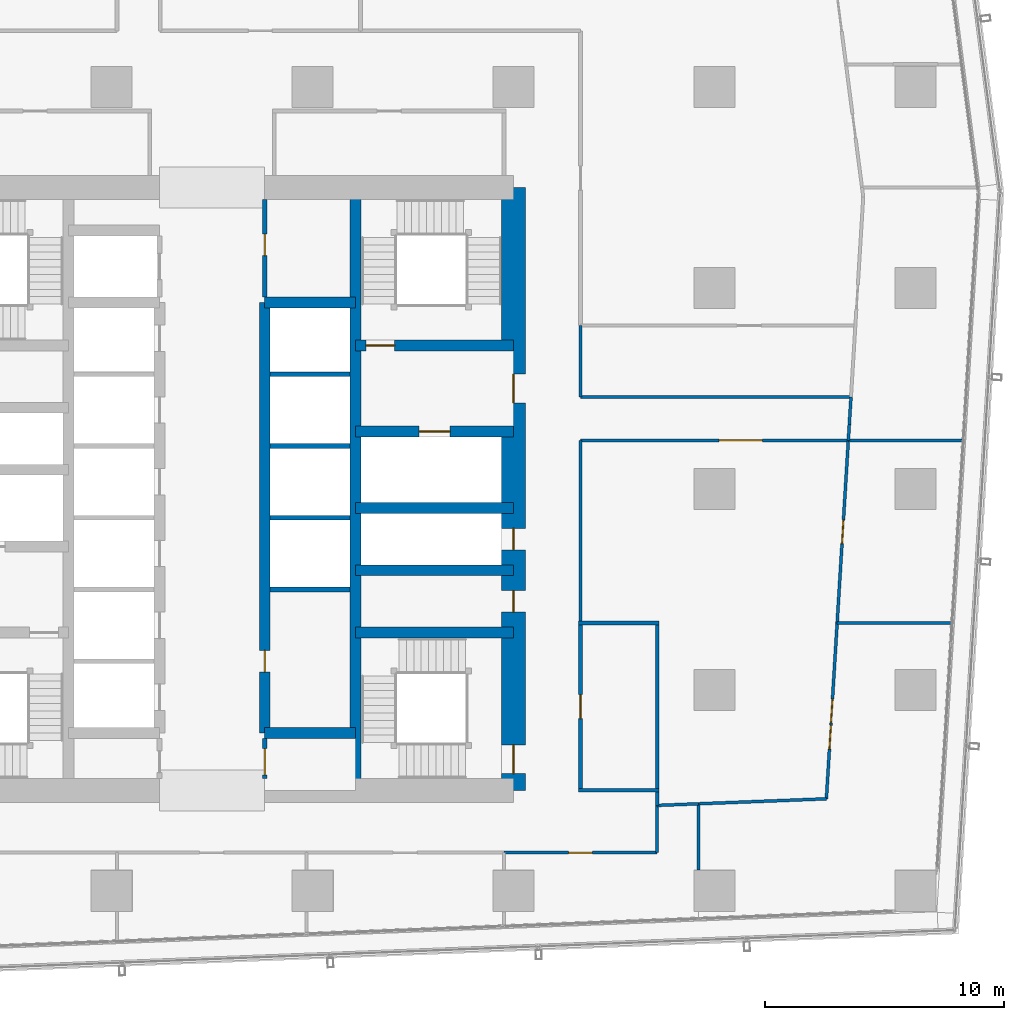
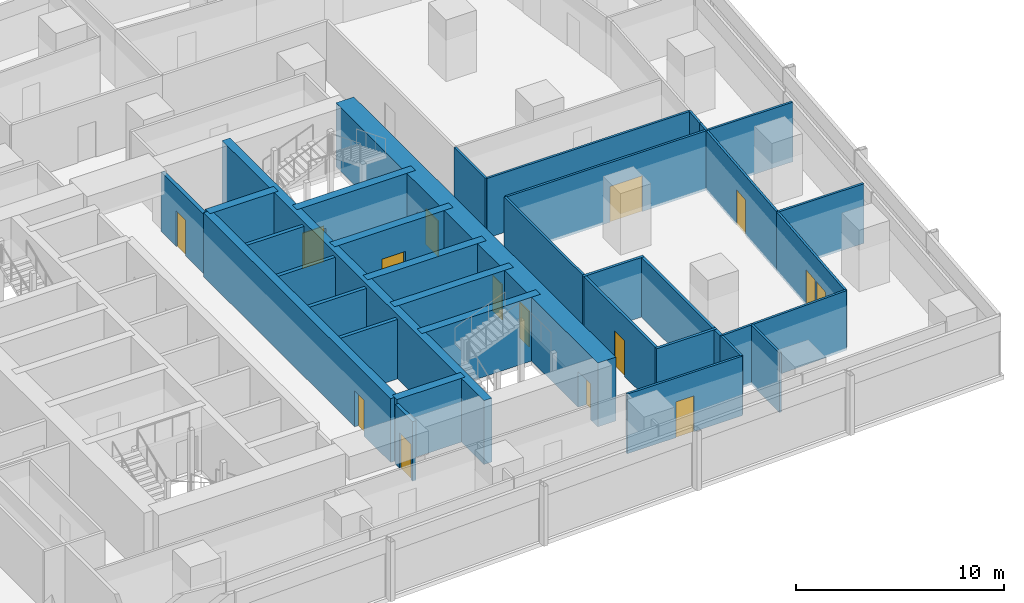
# One storey, part 28 of 38: 36 walls, 15 doors, 15 openings.
"""IFC4 building model written with IfcOpenShell, lengths in metres."""

from ifc_helpers import new_model, si_unit, direction, frame, frame_2d, origin, place, context, subcontext, project, spatial, rectangle, extrude, material, layer, layer_set, type_object, element, fill, save


model = new_model("IFC4")

# Units and contexts
model_context = context("Model", 3, precision=1e-05, world=origin(), true_north=direction((0.0, 1.0)))
body_context = subcontext(model_context, "Body", "Model", "MODEL_VIEW")
ifc_project = project(units=[si_unit("LENGTHUNIT", "METRE"), si_unit("AREAUNIT", "SQUARE_METRE"), si_unit("VOLUMEUNIT", "CUBIC_METRE"), si_unit("PLANEANGLEUNIT", "RADIAN"), si_unit("MASSUNIT", "GRAM", prefix="KILO")], contexts=[model_context])

# Site, building, storey
site_placement = place(None, origin())
site = spatial("IfcSite", under=ifc_project, at=site_placement, CompositionType="ELEMENT")
building_placement = place(site_placement, origin())
building = spatial("IfcBuilding", under=site, at=building_placement, Name="Rekha Terrace Tower", CompositionType="ELEMENT")
storey_placement = place(building_placement, frame((0.0, 0.0, 114.050048828125)))
storey = spatial("IfcBuildingStorey", under=building, at=storey_placement, Name="L28", CompositionType="ELEMENT", Elevation=114.050048828125)

# Wall
ifc_material_1 = material(Name="Concrete M70", Category="concrete")
ifc_layer_1 = layer(ifc_material_1, 0.449951171875)
ifc_layer_set_1 = layer_set([ifc_layer_1], Name="Concrete M70")
wall_type_1 = type_object("IfcWallType", Name="CI2 450 core internal shear wall", PredefinedType="SHEAR", material=ifc_layer_set_1)
wall_1_placement = place(storey_placement, frame((43.800048828125, 21.0, 0.0), z_axis=(0.0, 0.0, 1.0), x_axis=(0.0, 1.0, 0.0)))
element("IfcWall", 1, at=wall_1_placement, inside=storey, type_object=wall_type_1, Name="Core wall X438 L28", PredefinedType="SHEAR", context=body_context, shape_type="SweptSolid", body=[
    extrude(rectangle(XDim=25.199951171875, YDim=0.449951171875, at=frame_2d((12.60009765625, 0.0))), origin(), (0.0, 0.0, 1.0), 3.75),
])

# Wall, opening, door
wall_2_placement = place(storey_placement, frame((40.0, 23.39990234375, 0.0), z_axis=(0.0, 0.0, 1.0), x_axis=(0.0, 1.0, 0.0)))
wall_2 = element("IfcWall", 2, at=wall_2_placement, inside=storey, type_object=wall_type_1, Name="Core wall X400 L28", PredefinedType="SHEAR", context=body_context, shape_type="SweptSolid", body=[
    extrude(rectangle(XDim=18.0, YDim=0.449951171875, at=frame_2d((9.0, 0.0))), origin(), (0.0, 0.0, 1.0), 3.75),
])
opening_1_placement = place(wall_2_placement, frame((2.550048828125, 0.0, 0.0)))
opening_1 = element("IfcOpeningElement", 3, at=opening_1_placement, cuts=wall_2, Name="Opening D5", PredefinedType="OPENING", context=body_context, shape_type="SweptSolid", body=[
    extrude(rectangle(XDim=0.89990234375, YDim=2.10009765625, at=frame_2d((0.449951171875, 1.050048828125))), frame((0.0, 0.23486328125, 0.0), z_axis=(0.0, -1.0, 0.0), x_axis=(1.0, 0.0, 0.0)), (0.0, 0.0, 1.0), 0.469970703125),
])
ifc_material_2 = material(Name="Steel fire door", Category="steel")
door_type_1 = type_object("IfcDoorType", Name="D5 900x2100 riser access door", OperationType="SINGLE_SWING_LEFT", PredefinedType="DOOR", material=ifc_material_2)
door_1_placement = place(opening_1_placement, origin())
door_1 = element("IfcDoor", 4, at=door_1_placement, inside=storey, type_object=door_type_1, Name="Door back-of-house store L28", OperationType="SINGLE_SWING_LEFT", OverallHeight=2.10009765625, OverallWidth=0.89990234375, PredefinedType="DOOR", context=body_context, shape_type="SweptSolid", body=[
    extrude(rectangle(XDim=0.89990234375, YDim=2.10009765625, at=frame_2d((0.449951171875, 1.050048828125))), frame((0.0, 0.02490234375, 0.0), z_axis=(0.0, -1.0, 0.0), x_axis=(1.0, 0.0, 0.0)), (0.0, 0.0, 1.0), 0.050048828125),
])
fill(opening_1, door_1)

# Walls
for number, where, z_axis, x_axis, name in (
    (5, (40.0, 23.39990234375, 0.0), (0.0, 0.0, 1.0), (1.0, 0.0, 0.0), "Core wall Y234E L28"),
    (6, (40.0, 41.39990234375, 0.0), (0.0, 0.0, 1.0), (1.0, 0.0, 0.0), "Core wall Y414E L28"),
):
    element("IfcWall", number, at=place(storey_placement, frame(where, z_axis=z_axis, x_axis=x_axis)), inside=storey, type_object=wall_type_1, Name=name, PredefinedType="SHEAR", context=body_context, shape_type="SweptSolid", body=[
        extrude(rectangle(XDim=3.800048828125, YDim=0.449951171875, at=frame_2d((1.89990234375, 0.0))), origin(), (0.0, 0.0, 1.0), 3.75),
    ])
for number, where, z_axis, x_axis, name in (
    (7, (43.800048828125, 27.60009765625, 0.0), (0.0, 0.0, 1.0), (1.0, 0.0, 0.0), "Core wall Y276E L28"),
    (8, (43.800048828125, 30.199951171875, 0.0), (0.0, 0.0, 1.0), (1.0, 0.0, 0.0), "Core wall Y302E L28"),
    (9, (43.800048828125, 32.800048828125, 0.0), (0.0, 0.0, 1.0), (1.0, 0.0, 0.0), "Core wall Y328E L28"),
):
    element("IfcWall", number, at=place(storey_placement, frame(where, z_axis=z_axis, x_axis=x_axis)), inside=storey, type_object=wall_type_1, Name=name, PredefinedType="SHEAR", context=body_context, shape_type="SweptSolid", body=[
        extrude(rectangle(XDim=6.599853515625, YDim=0.449951171875, at=frame_2d((3.2998046875, 0.0))), origin(), (0.0, 0.0, 1.0), 3.75),
    ])

# Wall, opening, door
wall_3_placement = place(storey_placement, frame((43.800048828125, 36.0, 0.0), z_axis=(0.0, 0.0, 1.0), x_axis=(1.0, 0.0, 0.0)))
wall_3 = element("IfcWall", 10, at=wall_3_placement, inside=storey, type_object=wall_type_1, Name="Core wall Y360E L28", PredefinedType="SHEAR", context=body_context, shape_type="SweptSolid", body=[
    extrude(rectangle(XDim=6.599853515625, YDim=0.449951171875, at=frame_2d((3.2998046875, 0.0))), origin(), (0.0, 0.0, 1.0), 3.75),
])
opening_2_placement = place(wall_3_placement, frame((2.64990234375, 0.0, 0.0)))
opening_2 = element("IfcOpeningElement", 11, at=opening_2_placement, cuts=wall_3, Name="Opening LD2", PredefinedType="OPENING", context=body_context, shape_type="SweptSolid", body=[
    extrude(rectangle(XDim=1.300048828125, YDim=2.10009765625, at=frame_2d((0.64990234375, 1.050048828125))), frame((0.0, 0.23486328125, 0.0), z_axis=(0.0, -1.0, 0.0), x_axis=(1.0, 0.0, 0.0)), (0.0, 0.0, 1.0), 0.469970703125),
])
ifc_material_3 = material(Name="Stainless steel sliding landing door", Category="steel")
door_type_2 = type_object("IfcDoorType", Name="LD2 1300x2100 fire lift landing door", OperationType="SLIDING_TO_LEFT", PredefinedType="USERDEFINED", material=ifc_material_3)
door_2_placement = place(opening_2_placement, origin())
door_2 = element("IfcDoor", 12, at=door_2_placement, inside=storey, type_object=door_type_2, Name="Lift FL2 landing door L28", ObjectType="LIFT LANDING DOOR", OperationType="SLIDING_TO_LEFT", OverallHeight=2.10009765625, OverallWidth=1.300048828125, PredefinedType="USERDEFINED", context=body_context, shape_type="SweptSolid", body=[
    extrude(rectangle(XDim=1.300048828125, YDim=2.10009765625, at=frame_2d((0.64990234375, 1.050048828125))), frame((0.0, 0.02490234375, 0.0), z_axis=(0.0, -1.0, 0.0), x_axis=(1.0, 0.0, 0.0)), (0.0, 0.0, 1.0), 0.050048828125),
])
fill(opening_2, door_2)

wall_4_placement = place(storey_placement, frame((43.800048828125, 39.60009765625, 0.0), z_axis=(0.0, 0.0, 1.0), x_axis=(1.0, 0.0, 0.0)))
wall_4 = element("IfcWall", 13, at=wall_4_placement, inside=storey, type_object=wall_type_1, Name="Core wall Y396E L28", PredefinedType="SHEAR", context=body_context, shape_type="SweptSolid", body=[
    extrude(rectangle(XDim=6.599853515625, YDim=0.449951171875, at=frame_2d((3.2998046875, 0.0))), origin(), (0.0, 0.0, 1.0), 3.75),
])
opening_3_placement = place(wall_4_placement, frame((0.425048828125, 0.0, 0.0)))
opening_3 = element("IfcOpeningElement", 14, at=opening_3_placement, cuts=wall_4, Name="Opening D1", PredefinedType="OPENING", context=body_context, shape_type="SweptSolid", body=[
    extrude(rectangle(XDim=1.199951171875, YDim=2.10009765625, at=frame_2d((0.60009765625, 1.050048828125))), frame((0.0, 0.23486328125, 0.0), z_axis=(0.0, -1.0, 0.0), x_axis=(1.0, 0.0, 0.0)), (0.0, 0.0, 1.0), 0.469970703125),
])
door_type_3 = type_object("IfcDoorType", Name="D1 1200x2100 stair fire door", OperationType="SINGLE_SWING_RIGHT", PredefinedType="DOOR", material=ifc_material_2)
door_3_placement = place(opening_3_placement, origin())
door_3 = element("IfcDoor", 15, at=door_3_placement, inside=storey, type_object=door_type_3, Name="Stair ST2 door L28", OperationType="SINGLE_SWING_RIGHT", OverallHeight=2.10009765625, OverallWidth=1.199951171875, PredefinedType="DOOR", context=body_context, shape_type="SweptSolid", body=[
    extrude(rectangle(XDim=1.199951171875, YDim=2.10009765625, at=frame_2d((0.60009765625, 1.050048828125))), frame((0.0, 0.02490234375, 0.0), z_axis=(0.0, -1.0, 0.0), x_axis=(1.0, 0.0, 0.0)), (0.0, 0.0, 1.0), 0.050048828125),
])
fill(opening_3, door_3)

# Wall, openings, doors
ifc_layer_2 = layer(ifc_material_1, 1.0)
ifc_layer_set_2 = layer_set([ifc_layer_2], Name="Concrete M70")
wall_type_2 = type_object("IfcWallType", Name="SW2 1000 core outer shear wall", PredefinedType="SHEAR", material=ifc_layer_set_2)
wall_5_placement = place(storey_placement, frame((50.39990234375, 21.0, 0.0), z_axis=(0.0, 0.0, 1.0), x_axis=(0.0, 1.0, 0.0)))
wall_5 = element("IfcWall", 16, at=wall_5_placement, inside=storey, type_object=wall_type_2, Name="Core wall E L28", PredefinedType="SHEAR", context=body_context, shape_type="SweptSolid", body=[
    extrude(rectangle(XDim=25.199951171875, YDim=1.0, at=frame_2d((12.60009765625, 0.0))), origin(), (0.0, 0.0, 1.0), 3.75),
])
opening_4_placement = place(wall_5_placement, frame((16.199951171875, 0.0, 0.0)))
opening_4 = element("IfcOpeningElement", 17, at=opening_4_placement, cuts=wall_5, Name="Opening D2", PredefinedType="OPENING", context=body_context, shape_type="SweptSolid", body=[
    extrude(rectangle(XDim=1.199951171875, YDim=2.10009765625, at=frame_2d((0.60009765625, 1.050048828125))), frame((0.0, 0.510009765625, 0.0), z_axis=(0.0, -1.0, 0.0), x_axis=(1.0, 0.0, 0.0)), (0.0, 0.0, 1.0), 1.02001953125),
])
opening_5_placement = place(wall_5_placement, frame((10.050048828125, 0.0, 0.0)))
opening_5 = element("IfcOpeningElement", 18, at=opening_5_placement, cuts=wall_5, Name="Opening D5", PredefinedType="OPENING", context=body_context, shape_type="SweptSolid", body=[
    extrude(rectangle(XDim=0.89990234375, YDim=2.10009765625, at=frame_2d((0.449951171875, 1.050048828125))), frame((0.0, 0.510009765625, 0.0), z_axis=(0.0, -1.0, 0.0), x_axis=(1.0, 0.0, 0.0)), (0.0, 0.0, 1.0), 1.02001953125),
])
opening_6_placement = place(wall_5_placement, frame((7.449951171875, 0.0, 0.0)))
opening_6 = element("IfcOpeningElement", 19, at=opening_6_placement, cuts=wall_5, Name="Opening D5", PredefinedType="OPENING", context=body_context, shape_type="SweptSolid", body=[
    extrude(rectangle(XDim=0.89990234375, YDim=2.10009765625, at=frame_2d((0.449951171875, 1.050048828125))), frame((0.0, 0.510009765625, 0.0), z_axis=(0.0, -1.0, 0.0), x_axis=(1.0, 0.0, 0.0)), (0.0, 0.0, 1.0), 1.02001953125),
])
opening_7_placement = place(wall_5_placement, frame((0.699951171875, 0.0, 0.0)))
opening_7 = element("IfcOpeningElement", 20, at=opening_7_placement, cuts=wall_5, Name="Opening D1", PredefinedType="OPENING", context=body_context, shape_type="SweptSolid", body=[
    extrude(rectangle(XDim=1.199951171875, YDim=2.10009765625, at=frame_2d((0.60009765625, 1.050048828125))), frame((0.0, 0.510009765625, 0.0), z_axis=(0.0, -1.0, 0.0), x_axis=(1.0, 0.0, 0.0)), (0.0, 0.0, 1.0), 1.02001953125),
])
door_4_placement = place(opening_7_placement, origin())
door_4 = element("IfcDoor", 21, at=door_4_placement, inside=storey, type_object=door_type_3, Name="Stair ST3 door L28", OperationType="SINGLE_SWING_RIGHT", OverallHeight=2.10009765625, OverallWidth=1.199951171875, PredefinedType="DOOR", context=body_context, shape_type="SweptSolid", body=[
    extrude(rectangle(XDim=1.199951171875, YDim=2.10009765625, at=frame_2d((0.60009765625, 1.050048828125))), frame((0.0, 0.02490234375, 0.0), z_axis=(0.0, -1.0, 0.0), x_axis=(1.0, 0.0, 0.0)), (0.0, 0.0, 1.0), 0.050048828125),
])
fill(opening_7, door_4)
door_type_4 = type_object("IfcDoorType", Name="D2 1200x2100 firefighting lobby door", OperationType="SINGLE_SWING_LEFT", PredefinedType="DOOR", material=ifc_material_2)
door_5_placement = place(opening_4_placement, origin())
door_5 = element("IfcDoor", 22, at=door_5_placement, inside=storey, type_object=door_type_4, Name="Door flb2 L28", OperationType="SINGLE_SWING_LEFT", OverallHeight=2.10009765625, OverallWidth=1.199951171875, PredefinedType="DOOR", context=body_context, shape_type="SweptSolid", body=[
    extrude(rectangle(XDim=1.199951171875, YDim=2.10009765625, at=frame_2d((0.60009765625, 1.050048828125))), frame((0.0, 0.02490234375, 0.0), z_axis=(0.0, -1.0, 0.0), x_axis=(1.0, 0.0, 0.0)), (0.0, 0.0, 1.0), 0.050048828125),
])
fill(opening_4, door_5)
door_6_placement = place(opening_5_placement, origin())
door_6 = element("IfcDoor", 23, at=door_6_placement, inside=storey, type_object=door_type_1, Name="Door rs2 L28", OperationType="SINGLE_SWING_LEFT", OverallHeight=2.10009765625, OverallWidth=0.89990234375, PredefinedType="DOOR", context=body_context, shape_type="SweptSolid", body=[
    extrude(rectangle(XDim=0.89990234375, YDim=2.10009765625, at=frame_2d((0.449951171875, 1.050048828125))), frame((0.0, 0.02490234375, 0.0), z_axis=(0.0, -1.0, 0.0), x_axis=(1.0, 0.0, 0.0)), (0.0, 0.0, 1.0), 0.050048828125),
])
fill(opening_5, door_6)
door_7_placement = place(opening_6_placement, origin())
door_7 = element("IfcDoor", 24, at=door_7_placement, inside=storey, type_object=door_type_1, Name="Door ele L28", OperationType="SINGLE_SWING_LEFT", OverallHeight=2.10009765625, OverallWidth=0.89990234375, PredefinedType="DOOR", context=body_context, shape_type="SweptSolid", body=[
    extrude(rectangle(XDim=0.89990234375, YDim=2.10009765625, at=frame_2d((0.449951171875, 1.050048828125))), frame((0.0, 0.02490234375, 0.0), z_axis=(0.0, -1.0, 0.0), x_axis=(1.0, 0.0, 0.0)), (0.0, 0.0, 1.0), 0.050048828125),
])
fill(opening_6, door_7)

# Walls
ifc_material_4 = material(Name="Concrete block masonry, 1 hour", Category="masonry")
ifc_layer_3 = layer(ifc_material_4, 0.14990234375)
ifc_layer_set_3 = layer_set([ifc_layer_3], Name="Concrete block masonry, 1 hour")
wall_type_3 = type_object("IfcWallType", Name="WP2 150 tenancy partition", PredefinedType="PARTITIONING", material=ifc_layer_set_3)
for number, where, z_axis, x_axis, name in (
    (25, (53.125, 21.0, 0.0), (0.0, 0.0, 1.0), (1.0, 0.0, 0.0), "Men's WC wall L28"),
    (26, (53.125, 28.0, 0.0), (0.0, 0.0, 1.0), (1.0, 0.0, 0.0), "Men's WC wall L28"),
):
    element("IfcWall", number, at=place(storey_placement, frame(where, z_axis=z_axis, x_axis=x_axis)), inside=storey, type_object=wall_type_3, Name=name, PredefinedType="PARTITIONING", context=body_context, shape_type="SweptSolid", body=[
        extrude(rectangle(XDim=3.35009765625, YDim=0.14990234375, at=frame_2d((1.675048828125, 0.0))), origin(), (0.0, 0.0, 1.0), 3.5),
    ])

# Wall, opening, door
wall_6_placement = place(storey_placement, frame((53.199951171875, 21.074951171875, 0.0), z_axis=(0.0, 0.0, 1.0), x_axis=(0.0, 1.0, 0.0)))
wall_6 = element("IfcWall", 27, at=wall_6_placement, inside=storey, type_object=wall_type_3, Name="Men's WC wall L28", PredefinedType="PARTITIONING", context=body_context, shape_type="SweptSolid", body=[
    extrude(rectangle(XDim=6.85009765625, YDim=0.14990234375, at=frame_2d((3.425048828125, 0.0))), origin(), (0.0, 0.0, 1.0), 3.5),
])
opening_8_placement = place(wall_6_placement, frame((2.925048828125, 0.0, 0.0)))
opening_8 = element("IfcOpeningElement", 28, at=opening_8_placement, cuts=wall_6, Name="Opening D3", PredefinedType="OPENING", context=body_context, shape_type="SweptSolid", body=[
    extrude(rectangle(XDim=1.0, YDim=2.10009765625, at=frame_2d((0.5, 1.050048828125))), frame((0.0, 0.0849609375, 0.0), z_axis=(0.0, -1.0, 0.0), x_axis=(1.0, 0.0, 0.0)), (0.0, 0.0, 1.0), 0.169921875),
])
ifc_material_5 = material(Name="Laminated timber fire door", Category="wood")
door_type_5 = type_object("IfcDoorType", Name="D3 1000x2100 WC door", OperationType="SINGLE_SWING_LEFT", PredefinedType="DOOR", material=ifc_material_5)
door_8_placement = place(opening_8_placement, origin())
door_8 = element("IfcDoor", 29, at=door_8_placement, inside=storey, type_object=door_type_5, Name="Door men's wc L28", OperationType="SINGLE_SWING_LEFT", OverallHeight=2.10009765625, OverallWidth=1.0, PredefinedType="DOOR", context=body_context, shape_type="SweptSolid", body=[
    extrude(rectangle(XDim=1.0, YDim=2.10009765625, at=frame_2d((0.5, 1.050048828125))), frame((0.0, 0.02490234375, 0.0), z_axis=(0.0, -1.0, 0.0), x_axis=(1.0, 0.0, 0.0)), (0.0, 0.0, 1.0), 0.050048828125),
])
fill(opening_8, door_8)

# Walls
wall_7_placement = place(storey_placement, frame((56.39990234375, 21.074951171875, 0.0), z_axis=(0.0, 0.0, 1.0), x_axis=(0.0, 1.0, 0.0)))
element("IfcWall", 30, at=wall_7_placement, inside=storey, type_object=wall_type_3, Name="Men's WC wall L28", PredefinedType="PARTITIONING", context=body_context, shape_type="SweptSolid", body=[
    extrude(rectangle(XDim=6.85009765625, YDim=0.14990234375, at=frame_2d((3.425048828125, 0.0))), origin(), (0.0, 0.0, 1.0), 3.5),
])
wall_8_placement = place(storey_placement, frame((56.39990234375, 20.3740234375, 0.0), z_axis=(0.0, 0.0, 1.0), x_axis=(0.0, 1.0, 0.0)))
element("IfcWall", 31, at=wall_8_placement, inside=storey, type_object=wall_type_3, Name="Partition L28-O1b", PredefinedType="PARTITIONING", context=body_context, shape_type="SweptSolid", body=[
    extrude(rectangle(XDim=0.551025390625, YDim=0.14990234375, at=frame_2d((0.275390625, 0.0))), origin(), (0.0, 0.0, 1.0), 3.5),
])
ifc_material_6 = material(Name="Two layers of fire-rated gypsum board each side on steel studs, acoustic quilt, 1 hour", Category="steel")
ifc_layer_4 = layer(ifc_material_6, 0.125)
ifc_layer_set_4 = layer_set([ifc_layer_4], Name="Two layers of fire-rated gypsum board each side on steel studs, acoustic quilt, 1 hour")
wall_type_4 = type_object("IfcWallType", Name="WP3 125 office partition", PredefinedType="PARTITIONING", material=ifc_layer_set_4)
wall_9_placement = place(storey_placement, frame((56.39990234375, 20.3740234375, 0.0), z_axis=(0.0, 0.0, 1.0), x_axis=(0.999234110548, 0.039130452561, 0.0)))
element("IfcWall", 32, at=wall_9_placement, inside=storey, type_object=wall_type_4, Name="Partition L28-03", PredefinedType="PARTITIONING", context=body_context, shape_type="SweptSolid", body=[
    extrude(rectangle(XDim=1.734375, YDim=0.125, at=frame_2d((0.8671875, 0.0))), origin(), (0.0, 0.0, 1.0), 3.5),
])
wall_10_placement = place(storey_placement, frame((58.133056640625, 20.44189453125, 0.0), z_axis=(0.0, 0.0, 1.0), x_axis=(0.0, -1.0, 0.0)))
element("IfcWall", 33, at=wall_10_placement, inside=storey, type_object=wall_type_4, Name="Partition L28-03", PredefinedType="PARTITIONING", context=body_context, shape_type="SweptSolid", body=[
    extrude(rectangle(XDim=2.77197265625, YDim=0.125, at=frame_2d((1.385986328125, 0.0))), origin(), (0.0, 0.0, 1.0), 3.5),
])

# Wall, opening, door
wall_11_placement = place(storey_placement, frame((50.0, 18.39990234375, 0.0), z_axis=(0.0, 0.0, 1.0), x_axis=(1.0, 0.0, 0.0)))
wall_11 = element("IfcWall", 34, at=wall_11_placement, inside=storey, type_object=wall_type_4, Name="Partition L28-03", PredefinedType="PARTITIONING", context=body_context, shape_type="SweptSolid", body=[
    extrude(rectangle(XDim=6.39990234375, YDim=0.125, at=frame_2d((3.199951171875, 0.0))), origin(), (0.0, 0.0, 1.0), 3.5),
])
opening_9_placement = place(wall_11_placement, frame((2.699951171875, 0.0, 0.0)))
opening_9 = element("IfcOpeningElement", 35, at=opening_9_placement, cuts=wall_11, Name="Opening D9", PredefinedType="OPENING", context=body_context, shape_type="SweptSolid", body=[
    extrude(rectangle(XDim=1.0, YDim=2.10009765625, at=frame_2d((0.5, 1.050048828125))), frame((0.0, 0.072509765625, 0.0), z_axis=(0.0, -1.0, 0.0), x_axis=(1.0, 0.0, 0.0)), (0.0, 0.0, 1.0), 0.14501953125),
])
ifc_material_7 = material(Name="Timber fire door", Category="wood")
door_type_6 = type_object("IfcDoorType", Name="D9 1000x2100 office door", OperationType="SINGLE_SWING_LEFT", PredefinedType="DOOR", material=ifc_material_7)
door_9_placement = place(opening_9_placement, origin())
door_9 = element("IfcDoor", 36, at=door_9_placement, inside=storey, type_object=door_type_6, Name="Door meeting room L28", OperationType="SINGLE_SWING_LEFT", OverallHeight=2.10009765625, OverallWidth=1.0, PredefinedType="DOOR", context=body_context, shape_type="SweptSolid", body=[
    extrude(rectangle(XDim=1.0, YDim=2.10009765625, at=frame_2d((0.5, 1.050048828125))), frame((0.0, 0.02490234375, 0.0), z_axis=(0.0, -1.0, 0.0), x_axis=(1.0, 0.0, 0.0)), (0.0, 0.0, 1.0), 0.050048828125),
])
fill(opening_9, door_9)

# Walls
wall_12_placement = place(storey_placement, frame((56.39990234375, 18.39990234375, 0.0), z_axis=(0.0, 0.0, 1.0), x_axis=(0.0, 1.0, 0.0)))
element("IfcWall", 37, at=wall_12_placement, inside=storey, type_object=wall_type_4, Name="Partition L28-03", PredefinedType="PARTITIONING", context=body_context, shape_type="SweptSolid", body=[
    extrude(rectangle(XDim=1.97412109375, YDim=0.125, at=frame_2d((0.987060546875, 0.0))), origin(), (0.0, 0.0, 1.0), 3.5),
])
wall_13_placement = place(storey_placement, frame((63.926025390625, 27.99609375, 0.0), z_axis=(0.0, 0.0, 1.0), x_axis=(1.0, 0.0, 0.0)))
element("IfcWall", 38, at=wall_13_placement, inside=storey, type_object=wall_type_4, Name="Partition L28-04", PredefinedType="PARTITIONING", context=body_context, shape_type="SweptSolid", body=[
    extrude(rectangle(XDim=4.758056640625, YDim=0.125, at=frame_2d((2.37890625, 0.0))), origin(), (0.0, 0.0, 1.0), 3.5),
])
wall_14_placement = place(storey_placement, frame((58.134033203125, 20.44189453125, 0.0), z_axis=(0.0, 0.0, 1.0), x_axis=(0.999242781249, 0.03890840682, 0.0)))
element("IfcWall", 39, at=wall_14_placement, inside=storey, type_object=wall_type_4, Name="Partition L28-04", PredefinedType="PARTITIONING", context=body_context, shape_type="SweptSolid", body=[
    extrude(rectangle(XDim=5.34619140625, YDim=0.125, at=frame_2d((2.673095703125, 0.0))), origin(), (0.0, 0.0, 1.0), 3.5),
])

# Wall, openings, doors
wall_15_placement = place(storey_placement, frame((63.47607421875, 20.64990234375, 0.0), z_axis=(0.0, 0.0, 1.0), x_axis=(0.061135017565, 0.998129505439, 0.0)))
wall_15 = element("IfcWall", 40, at=wall_15_placement, inside=storey, type_object=wall_type_4, Name="Partition L28-04", PredefinedType="PARTITIONING", context=body_context, shape_type="SweptSolid", body=[
    extrude(rectangle(XDim=7.35986328125, YDim=0.125, at=frame_2d((3.679931640625, 0.0))), origin(), (0.0, 0.0, 1.0), 3.5),
])
opening_10_placement = place(wall_15_placement, frame((3.179931640625, 0.0, 0.0)))
opening_10 = element("IfcOpeningElement", 41, at=opening_10_placement, cuts=wall_15, Name="Opening D9", PredefinedType="OPENING", context=body_context, shape_type="SweptSolid", body=[
    extrude(rectangle(XDim=1.0, YDim=2.10009765625, at=frame_2d((0.5, 1.050048828125))), frame((0.0, 0.072509765625, 0.0), z_axis=(0.0, -1.0, 0.0), x_axis=(1.0, 0.0, 0.0)), (0.0, 0.0, 1.0), 0.14501953125),
])
opening_11_placement = place(wall_15_placement, frame((2.080078125, 0.0, 0.0)))
opening_11 = element("IfcOpeningElement", 42, at=opening_11_placement, cuts=wall_15, Name="Opening D9", PredefinedType="OPENING", context=body_context, shape_type="SweptSolid", body=[
    extrude(rectangle(XDim=1.0, YDim=2.10009765625, at=frame_2d((0.5, 1.050048828125))), frame((0.0, 0.072509765625, 0.0), z_axis=(0.0, -1.0, 0.0), x_axis=(1.0, 0.0, 0.0)), (0.0, 0.0, 1.0), 0.14501953125),
])
door_10_placement = place(opening_10_placement, origin())
door_10 = element("IfcDoor", 43, at=door_10_placement, inside=storey, type_object=door_type_6, Name="Door director's office L28", OperationType="SINGLE_SWING_LEFT", OverallHeight=2.10009765625, OverallWidth=1.0, PredefinedType="DOOR", context=body_context, shape_type="SweptSolid", body=[
    extrude(rectangle(XDim=1.0, YDim=2.10009765625, at=frame_2d((0.5, 1.050048828125))), frame((0.0, 0.02490234375, 0.0), z_axis=(0.0, -1.0, 0.0), x_axis=(1.0, 0.0, 0.0)), (0.0, 0.0, 1.0), 0.050048828125),
])
fill(opening_10, door_10)
door_11_placement = place(opening_11_placement, origin())
door_11 = element("IfcDoor", 44, at=door_11_placement, inside=storey, type_object=door_type_6, Name="Door open-plan office L28", OperationType="SINGLE_SWING_LEFT", OverallHeight=2.10009765625, OverallWidth=1.0, PredefinedType="DOOR", context=body_context, shape_type="SweptSolid", body=[
    extrude(rectangle(XDim=1.0, YDim=2.10009765625, at=frame_2d((0.5, 1.050048828125))), frame((0.0, 0.02490234375, 0.0), z_axis=(0.0, -1.0, 0.0), x_axis=(1.0, 0.0, 0.0)), (0.0, 0.0, 1.0), 0.050048828125),
])
fill(opening_11, door_11)

# Wall, opening, door
wall_16_placement = place(storey_placement, frame((63.926025390625, 27.9970703125, 0.0), z_axis=(0.0, 0.0, 1.0), x_axis=(0.061176245149, 0.998126979412, 0.0)))
wall_16 = element("IfcWall", 45, at=wall_16_placement, inside=storey, type_object=wall_type_4, Name="Partition L28-05", PredefinedType="PARTITIONING", context=body_context, shape_type="SweptSolid", body=[
    extrude(rectangle(XDim=7.650390625, YDim=0.125, at=frame_2d((3.8251953125, 0.0))), origin(), (0.0, 0.0, 1.0), 3.5),
])
opening_12_placement = place(wall_16_placement, frame((3.324951171875, 0.0, 0.0)))
opening_12 = element("IfcOpeningElement", 46, at=opening_12_placement, cuts=wall_16, Name="Opening D9", PredefinedType="OPENING", context=body_context, shape_type="SweptSolid", body=[
    extrude(rectangle(XDim=1.0, YDim=2.10009765625, at=frame_2d((0.5, 1.050048828125))), frame((0.0, 0.072509765625, 0.0), z_axis=(0.0, -1.0, 0.0), x_axis=(1.0, 0.0, 0.0)), (0.0, 0.0, 1.0), 0.14501953125),
])
door_12_placement = place(opening_12_placement, origin())
door_12 = element("IfcDoor", 47, at=door_12_placement, inside=storey, type_object=door_type_6, Name="Door office L28", OperationType="SINGLE_SWING_LEFT", OverallHeight=2.10009765625, OverallWidth=1.0, PredefinedType="DOOR", context=body_context, shape_type="SweptSolid", body=[
    extrude(rectangle(XDim=1.0, YDim=2.10009765625, at=frame_2d((0.5, 1.050048828125))), frame((0.0, 0.02490234375, 0.0), z_axis=(0.0, -1.0, 0.0), x_axis=(1.0, 0.0, 0.0)), (0.0, 0.0, 1.0), 0.050048828125),
])
fill(opening_12, door_12)

# Walls
wall_17_placement = place(storey_placement, frame((64.39404296875, 35.633056640625, 0.0), z_axis=(0.0, 0.0, 1.0), x_axis=(1.0, 0.0, 0.0)))
element("IfcWall", 48, at=wall_17_placement, inside=storey, type_object=wall_type_4, Name="Partition L28-05", PredefinedType="PARTITIONING", context=body_context, shape_type="SweptSolid", body=[
    extrude(rectangle(XDim=4.758056640625, YDim=0.125, at=frame_2d((2.37890625, 0.0))), origin(), (0.0, 0.0, 1.0), 3.5),
])
wall_18_placement = place(storey_placement, frame((64.43408203125, 36.29296875, 0.0), z_axis=(0.0, 0.0, 1.0), x_axis=(0.060919506416, 0.998142682054, 0.0)))
element("IfcWall", 49, at=wall_18_placement, inside=storey, type_object=wall_type_4, Name="Partition L28-06", PredefinedType="PARTITIONING", context=body_context, shape_type="SweptSolid", body=[
    extrude(rectangle(XDim=1.146240234375, YDim=0.125, at=frame_2d((0.5732421875, 0.0))), origin(), (0.0, 0.0, 1.0), 3.5),
])
wall_19_placement = place(storey_placement, frame((64.39404296875, 35.634033203125, 0.0), z_axis=(0.0, 0.0, 1.0), x_axis=(0.060651381141, 0.998159010361, 0.0)))
element("IfcWall", 50, at=wall_19_placement, inside=storey, type_object=wall_type_4, Name="Partition L28-06", PredefinedType="PARTITIONING", context=body_context, shape_type="SweptSolid", body=[
    extrude(rectangle(XDim=0.66015625, YDim=0.125, at=frame_2d((0.330078125, 0.0))), origin(), (0.0, 0.0, 1.0), 3.5),
])

# Wall, opening, door
wall_20_placement = place(storey_placement, frame((53.199951171875, 35.633056640625, 0.0), z_axis=(0.0, 0.0, 1.0), x_axis=(1.0, 0.0, 0.0)))
wall_20 = element("IfcWall", 51, at=wall_20_placement, inside=storey, type_object=wall_type_4, Name="Partition L28-11", PredefinedType="PARTITIONING", context=body_context, shape_type="SweptSolid", body=[
    extrude(rectangle(XDim=11.194091796875, YDim=0.125, at=frame_2d((5.59716796875, 0.0))), origin(), (0.0, 0.0, 1.0), 3.5),
])
opening_13_placement = place(wall_20_placement, frame((5.797119140625, 0.0, 0.0)))
opening_13 = element("IfcOpeningElement", 52, at=opening_13_placement, cuts=wall_20, Name="Opening D8", PredefinedType="OPENING", context=body_context, shape_type="SweptSolid", body=[
    extrude(rectangle(XDim=1.800048828125, YDim=2.10009765625, at=frame_2d((0.89990234375, 1.050048828125))), frame((0.0, 0.072509765625, 0.0), z_axis=(0.0, -1.0, 0.0), x_axis=(1.0, 0.0, 0.0)), (0.0, 0.0, 1.0), 0.14501953125),
])
door_type_7 = type_object("IfcDoorType", Name="D8 1800x2100 double leaf door", OperationType="DOUBLE_DOOR_SINGLE_SWING", PredefinedType="DOOR", material=ifc_material_7)
door_13_placement = place(opening_13_placement, origin())
door_13 = element("IfcDoor", 53, at=door_13_placement, inside=storey, type_object=door_type_7, Name="Door reception L28", OperationType="DOUBLE_DOOR_SINGLE_SWING", OverallHeight=2.10009765625, OverallWidth=1.800048828125, PredefinedType="DOOR", context=body_context, shape_type="SweptSolid", body=[
    extrude(rectangle(XDim=1.800048828125, YDim=2.10009765625, at=frame_2d((0.89990234375, 1.050048828125))), frame((0.0, 0.02490234375, 0.0), z_axis=(0.0, -1.0, 0.0), x_axis=(1.0, 0.0, 0.0)), (0.0, 0.0, 1.0), 0.050048828125),
])
fill(opening_13, door_13)

# Walls
wall_21_placement = place(storey_placement, frame((53.199951171875, 28.074951171875, 0.0), z_axis=(0.0, 0.0, 1.0), x_axis=(0.0, 1.0, 0.0)))
element("IfcWall", 54, at=wall_21_placement, inside=storey, type_object=wall_type_4, Name="Partition L28-11", PredefinedType="PARTITIONING", context=body_context, shape_type="SweptSolid", body=[
    extrude(rectangle(XDim=7.55810546875, YDim=0.125, at=frame_2d((3.779052734375, 0.0))), origin(), (0.0, 0.0, 1.0), 3.5),
])
wall_22_placement = place(storey_placement, frame((53.199951171875, 37.43701171875, 0.0), z_axis=(0.0, 0.0, 1.0), x_axis=(0.0, 1.0, 0.0)))
element("IfcWall", 55, at=wall_22_placement, inside=storey, type_object=wall_type_4, Name="Partition L28-12", PredefinedType="PARTITIONING", context=body_context, shape_type="SweptSolid", body=[
    extrude(rectangle(XDim=2.99609375, YDim=0.125, at=frame_2d((1.498046875, 0.0))), origin(), (0.0, 0.0, 1.0), 3.5),
])
wall_23_placement = place(storey_placement, frame((64.50390625, 37.43701171875, 0.0), z_axis=(0.0, 0.0, 1.0), x_axis=(-1.0, 0.0, 0.0)))
element("IfcWall", 56, at=wall_23_placement, inside=storey, type_object=wall_type_4, Name="Partition L28-12", PredefinedType="PARTITIONING", context=body_context, shape_type="SweptSolid", body=[
    extrude(rectangle(XDim=11.303955078125, YDim=0.125, at=frame_2d((5.65185546875, 0.0))), origin(), (0.0, 0.0, 1.0), 3.5),
])
ifc_material_8 = material(Name="Solid concrete block masonry, 2 hour", Category="masonry")
ifc_layer_5 = layer(ifc_material_8, 0.199951171875)
ifc_layer_set_5 = layer_set([ifc_layer_5], Name="Solid concrete block masonry, 2 hour")
wall_type_5 = type_object("IfcWallType", Name="WS1 200 stair and shaft enclosure", PredefinedType="PARTITIONING", material=ifc_layer_set_5)
for number, where, z_axis, x_axis, name in (
    (57, (40.22509765625, 29.39990234375, 0.0), (0.0, 0.0, 1.0), (1.0, 0.0, 0.0), "Lift shaft divider L28"),
    (58, (40.22509765625, 32.39990234375, 0.0), (0.0, 0.0, 1.0), (1.0, 0.0, 0.0), "Lift shaft divider L28"),
    (59, (40.22509765625, 35.39990234375, 0.0), (0.0, 0.0, 1.0), (1.0, 0.0, 0.0), "Lift shaft divider L28"),
    (60, (40.22509765625, 38.39990234375, 0.0), (0.0, 0.0, 1.0), (1.0, 0.0, 0.0), "Lift shaft divider L28"),
):
    element("IfcWall", number, at=place(storey_placement, frame(where, z_axis=z_axis, x_axis=x_axis)), inside=storey, type_object=wall_type_5, Name=name, PredefinedType="PARTITIONING", context=body_context, shape_type="SweptSolid", body=[
        extrude(rectangle(XDim=3.349853515625, YDim=0.199951171875, at=frame_2d((1.6748046875, 0.0))), origin(), (0.0, 0.0, 1.0), 3.5),
    ])

# Wall, opening, door
wall_24_placement = place(storey_placement, frame((40.0, 21.5, 0.0), z_axis=(0.0, 0.0, 1.0), x_axis=(0.0, 1.0, 0.0)))
wall_24 = element("IfcWall", 61, at=wall_24_placement, inside=storey, type_object=wall_type_5, Name="Core partition wca L28", PredefinedType="PARTITIONING", context=body_context, shape_type="SweptSolid", body=[
    extrude(rectangle(XDim=1.675048828125, YDim=0.199951171875, at=frame_2d((0.83740234375, 0.0))), origin(), (0.0, 0.0, 1.0), 3.5),
])
opening_14_placement = place(wall_24_placement, frame((0.14990234375, 0.0, 0.0)))
opening_14 = element("IfcOpeningElement", 62, at=opening_14_placement, cuts=wall_24, Name="Opening D4", PredefinedType="OPENING", context=body_context, shape_type="SweptSolid", body=[
    extrude(rectangle(XDim=1.10009765625, YDim=2.10009765625, at=frame_2d((0.550048828125, 1.050048828125))), frame((0.0, 0.10986328125, 0.0), z_axis=(0.0, -1.0, 0.0), x_axis=(1.0, 0.0, 0.0)), (0.0, 0.0, 1.0), 0.219970703125),
])
door_type_8 = type_object("IfcDoorType", Name="D4 1100x2100 accessible WC door", OperationType="SLIDING_TO_LEFT", PredefinedType="DOOR", material=ifc_material_5)
door_14_placement = place(opening_14_placement, origin())
door_14 = element("IfcDoor", 63, at=door_14_placement, inside=storey, type_object=door_type_8, Name="Door wca L28", OperationType="SLIDING_TO_LEFT", OverallHeight=2.10009765625, OverallWidth=1.10009765625, PredefinedType="DOOR", context=body_context, shape_type="SweptSolid", body=[
    extrude(rectangle(XDim=1.10009765625, YDim=2.10009765625, at=frame_2d((0.550048828125, 1.050048828125))), frame((0.0, 0.02490234375, 0.0), z_axis=(0.0, -1.0, 0.0), x_axis=(1.0, 0.0, 0.0)), (0.0, 0.0, 1.0), 0.050048828125),
])
fill(opening_14, door_14)

wall_25_placement = place(storey_placement, frame((40.0, 41.625, 0.0), z_axis=(0.0, 0.0, 1.0), x_axis=(0.0, 1.0, 0.0)))
wall_25 = element("IfcWall", 64, at=wall_25_placement, inside=storey, type_object=wall_type_5, Name="Core partition elec L28", PredefinedType="PARTITIONING", context=body_context, shape_type="SweptSolid", body=[
    extrude(rectangle(XDim=4.074951171875, YDim=0.199951171875, at=frame_2d((2.03759765625, 0.0))), origin(), (0.0, 0.0, 1.0), 3.5),
])
opening_15_placement = place(wall_25_placement, frame((1.72509765625, 0.0, 0.0)))
opening_15 = element("IfcOpeningElement", 65, at=opening_15_placement, cuts=wall_25, Name="Opening D5", PredefinedType="OPENING", context=body_context, shape_type="SweptSolid", body=[
    extrude(rectangle(XDim=0.89990234375, YDim=2.10009765625, at=frame_2d((0.449951171875, 1.050048828125))), frame((0.0, 0.10986328125, 0.0), z_axis=(0.0, -1.0, 0.0), x_axis=(1.0, 0.0, 0.0)), (0.0, 0.0, 1.0), 0.219970703125),
])
door_15_placement = place(opening_15_placement, origin())
door_15 = element("IfcDoor", 66, at=door_15_placement, inside=storey, type_object=door_type_1, Name="Door electrical room L28", OperationType="SINGLE_SWING_LEFT", OverallHeight=2.10009765625, OverallWidth=0.89990234375, PredefinedType="DOOR", context=body_context, shape_type="SweptSolid", body=[
    extrude(rectangle(XDim=0.89990234375, YDim=2.10009765625, at=frame_2d((0.449951171875, 1.050048828125))), frame((0.0, 0.02490234375, 0.0), z_axis=(0.0, -1.0, 0.0), x_axis=(1.0, 0.0, 0.0)), (0.0, 0.0, 1.0), 0.050048828125),
])
fill(opening_15, door_15)

save(model, "model.ifc")
